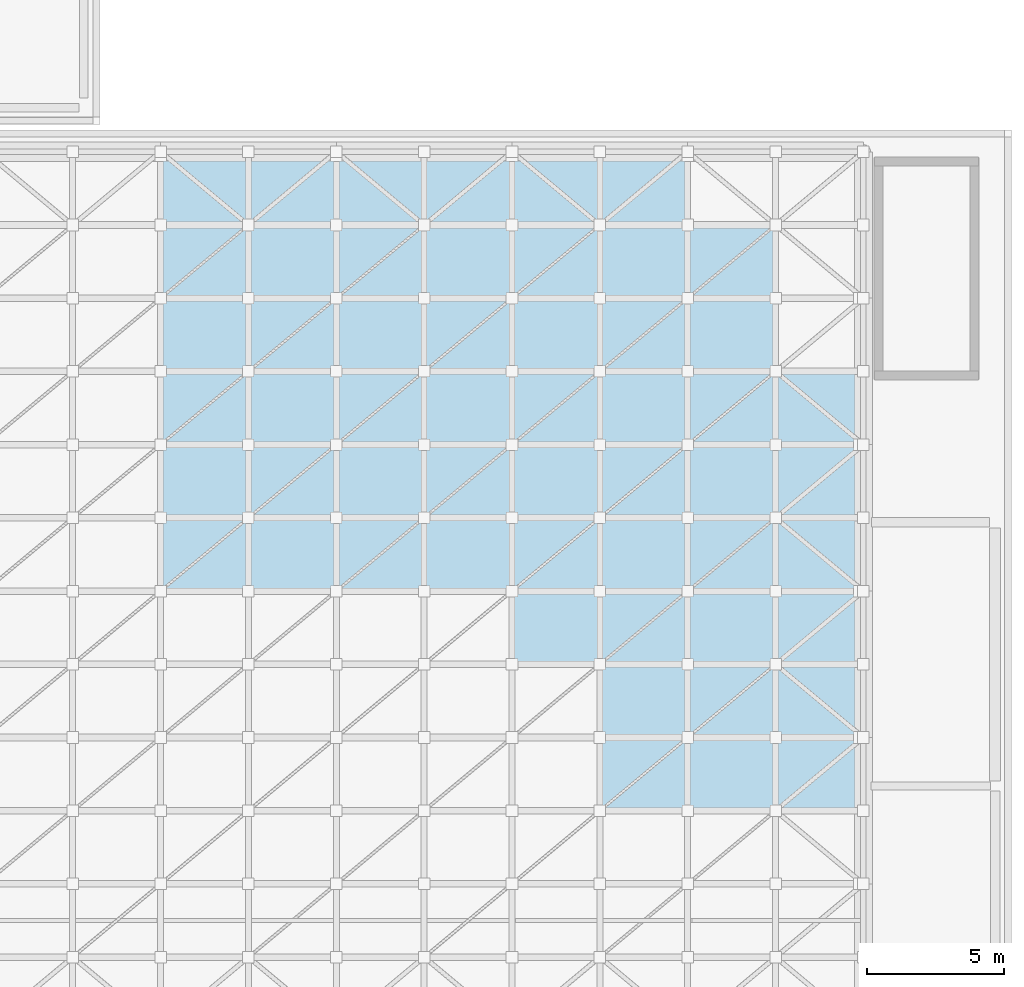
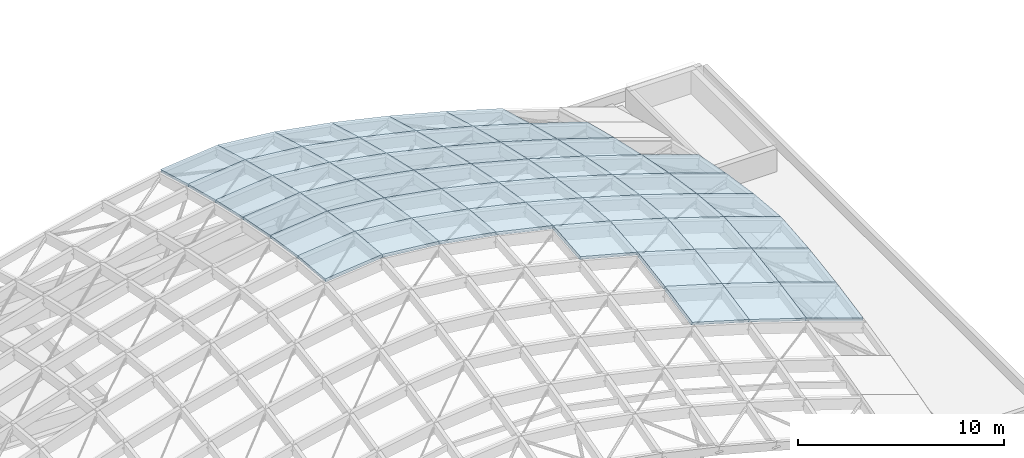
# One storey, part 28 of 40: 54 slabs, 1 element without a shape of its own.
"""IFC4 building model written with IfcOpenShell, lengths in metres."""

from ifc_helpers import new_model, si_unit, direction, frame, origin, place, context, subcontext, project, spatial, polyline, outline, extrude, material, layer, layer_set, type_object, element, aggregate, save


model = new_model("IFC4")

# Units and contexts
model_context = context("Model", 3, precision=1e-05, world=origin(), true_north=direction((0.0, 1.0)))
body_context = subcontext(model_context, "Body", "Model", "MODEL_VIEW")
ifc_project = project(units=[si_unit("LENGTHUNIT", "METRE"), si_unit("AREAUNIT", "SQUARE_METRE"), si_unit("VOLUMEUNIT", "CUBIC_METRE"), si_unit("PLANEANGLEUNIT", "RADIAN"), si_unit("MASSUNIT", "GRAM", prefix="KILO")], contexts=[model_context])

# Site, building, storey
site_placement = place(None, origin())
site = spatial("IfcSite", under=ifc_project, at=site_placement, CompositionType="ELEMENT")
building_placement = place(site_placement, origin())
building = spatial("IfcBuilding", under=site, at=building_placement, Name="Mzevani Central Library", CompositionType="ELEMENT")
storey_placement = place(building_placement, frame((0.0, 0.0, 26.699951171875)))
storey = spatial("IfcBuildingStorey", under=building, at=storey_placement, Name="RF", CompositionType="ELEMENT", Elevation=26.699951171875)

# Roof, slabs
ifc_material = material(Name="Glulam GL28h", Category="wood")
roof_type = type_object("IfcRoofType", Name="Translational Gridshell Pavilion Roof", PredefinedType="PAVILION_ROOF", material=ifc_material)
roof_placement = place(storey_placement, origin())
roof = element("IfcRoof", 1, at=roof_placement, inside=storey, type_object=roof_type, Name="RF Volume V1 Main Reading Hall Translational Gridshell Roof", PredefinedType="PAVILION_ROOF")
ifc_layer = layer(ifc_material, 0.179931640625, Name="Gridshell Roof Quad Slab 180")
ifc_layer_set = layer_set([ifc_layer], Name="Glulam GL28h")
slab_type = type_object("IfcSlabType", Name="Gridshell Roof Quad Slab 180", PredefinedType="ROOF", material=ifc_layer_set)
slab_1_placement = place(storey_placement, frame((133.39990234375, 59.10009765625, -4.033203125), z_axis=(-0.10316893799, 0.088441313677, 0.990724131264), x_axis=(0.994621666406, 0.0, 0.103574807342)))
slab_1 = element("IfcSlab", 2, at=slab_1_placement, type_object=slab_type, Name="RF Gridshell Roof Panel 7.7", PredefinedType="ROOF", context=body_context, shape_type="SweptSolid", body=[
    extrude(outline(polyline([(0.0, 0.0), (3.2175001013843962, 3.469446951953614e-18), (3.192845453640542, 2.6769940036971955), (-0.02465464774385437, 2.676994003697196), (0.0, 0.0)])), origin(), (0.0, 0.0, -1.0), 0.179931640625),
])
slab_2_placement = place(storey_placement, frame((133.39990234375, 61.7666015625, -4.271240234375), z_axis=(-0.102369775558, 0.152096879317, 0.983049830046), x_axis=(0.994621666406, 0.0, 0.103574807342)))
slab_2 = element("IfcSlab", 3, at=slab_2_placement, type_object=slab_type, Name="RF Gridshell Roof Panel 7.8", PredefinedType="ROOF", context=body_context, shape_type="SweptSolid", body=[
    extrude(outline(polyline([(0.0, 0.0), (3.2175001013843962, 0.0), (3.1747653786283823, 2.6981393060636414), (-0.04273472275601424, 2.6981393060636414), (0.0, 0.0)])), origin(), (0.0, 0.0, -1.0), 0.179931640625),
])
slab_3_placement = place(storey_placement, frame((133.39990234375, 64.433349609375, -4.683837890625), z_axis=(-0.101674788451, 0.190662806139, 0.976375917231), x_axis=(0.994621666406, 0.0, 0.103574807342)))
slab_3 = element("IfcSlab", 4, at=slab_3_placement, type_object=slab_type, Name="RF Gridshell Roof Panel 7.9", PredefinedType="ROOF", context=body_context, shape_type="SweptSolid", body=[
    extrude(outline(polyline([(0.0, 0.0), (3.2175001013843962, 1.3877787807814457e-17), (3.1635633181663025, 2.716582147775255), (-0.05393678321809371, 2.7165821477752545), (0.0, 0.0)])), origin(), (0.0, 0.0, -1.0), 0.179931640625),
])
slab_4_placement = place(storey_placement, frame((133.39990234375, 67.10009765625, -5.20458984375), z_axis=(-0.101024377436, 0.220548704695, 0.970130065517), x_axis=(0.994621666406, 0.0, 0.103574807342)))
slab_4 = element("IfcSlab", 5, at=slab_4_placement, type_object=slab_type, Name="RF Gridshell Roof Panel 7.10", PredefinedType="ROOF", context=body_context, shape_type="SweptSolid", body=[
    extrude(outline(polyline([(0.0, 0.0), (3.2175001013843962, 0.0), (3.154712931796714, 2.7338216317390387), (-0.06278716958768246, 2.733821631739039), (0.0, 0.0)])), origin(), (0.0, 0.0, -1.0), 0.179931640625),
])
slab_5_placement = place(storey_placement, frame((133.39990234375, 69.7666015625, -5.810791015625), z_axis=(-0.100405525432, 0.245482450392, 0.964187272791), x_axis=(0.994621666406, 0.0, 0.103574807342)))
slab_5 = element("IfcSlab", 6, at=slab_5_placement, type_object=slab_type, Name="RF Gridshell Roof Panel 7.11", PredefinedType="ROOF", context=body_context, shape_type="SweptSolid", body=[
    extrude(outline(polyline([(0.0, 0.0), (3.2175001013843962, 1.3877787807814457e-17), (3.147177459973464, 2.750923457628064), (-0.07032264141093231, 2.750923457628064), (0.0, 0.0)])), origin(), (0.0, 0.0, -1.0), 0.179931640625),
])
slab_6_placement = place(storey_placement, frame((133.39990234375, 72.433349609375, -6.48974609375), z_axis=(-0.099809233843, 0.267189794852, 0.958461126164), x_axis=(0.994621666406, 0.0, 0.103574807342)))
slab_6 = element("IfcSlab", 7, at=slab_6_placement, type_object=slab_type, Name="RF Gridshell Roof Panel 7.12", PredefinedType="ROOF", context=body_context, shape_type="SweptSolid", body=[
    extrude(outline(polyline([(0.0, 0.0), (3.2175001013843962, 0.0), (3.140501739968974, 2.7673583350055178), (-0.07699836141542211, 2.7673583350055173), (0.0, 0.0)])), origin(), (0.0, 0.0, -1.0), 0.179931640625),
])
slab_7_placement = place(storey_placement, frame((136.60009765625, 59.10009765625, -3.699951171875), z_axis=(0.103176725486, 0.088441241854, 0.990723326695), x_axis=(0.994620852304, 0.0, -0.103582624811)))
slab_7 = element("IfcSlab", 8, at=slab_7_placement, type_object=slab_type, Name="RF Gridshell Roof Panel 8.7", PredefinedType="ROOF", context=body_context, shape_type="SweptSolid", body=[
    extrude(outline(polyline([(0.0, 0.0), (3.2172572739284955, 0.0), (3.241913782519922, 2.6769939865584678), (0.024656508591426707, 2.6769939865584678), (0.0, 0.0)])), origin(), (0.0, 0.0, -1.0), 0.179931640625),
])
slab_8_placement = place(storey_placement, frame((136.60009765625, 61.7666015625, -3.93798828125), z_axis=(0.102377504013, 0.152096757705, 0.98304904403), x_axis=(0.994620852304, 0.0, -0.103582624811)))
slab_8 = element("IfcSlab", 9, at=slab_8_placement, type_object=slab_type, Name="RF Gridshell Roof Panel 8.8", PredefinedType="ROOF", context=body_context, shape_type="SweptSolid", body=[
    extrude(outline(polyline([(0.0, 0.0), (3.2172572739284955, -6.938893903907228e-18), (3.259995222153635, 2.6981392549748295), (0.04273794822513963, 2.6981392549748295), (0.0, 0.0)])), origin(), (0.0, 0.0, -1.0), 0.179931640625),
])
slab_9_placement = place(storey_placement, frame((136.60009765625, 64.433349609375, -4.3505859375), z_axis=(0.101682465538, 0.190662655753, 0.976375147115), x_axis=(0.994620852304, 0.0, -0.103582624811)))
slab_9 = element("IfcSlab", 10, at=slab_9_placement, type_object=slab_type, Name="RF Gridshell Roof Panel 8.9", PredefinedType="ROOF", context=body_context, shape_type="SweptSolid", body=[
    extrude(outline(polyline([(0.0, 0.0), (3.2172572739284955, 0.0), (3.2711981281085087, 2.7165820669446856), (0.0539408541800135, 2.716582066944686), (0.0, 0.0)])), origin(), (0.0, 0.0, -1.0), 0.179931640625),
])
slab_10_placement = place(storey_placement, frame((136.60009765625, 67.10009765625, -4.871337890625), z_axis=(0.101032006429, 0.220548532956, 0.970129310086), x_axis=(0.994620852304, 0.0, -0.103582624811)))
slab_10 = element("IfcSlab", 11, at=slab_10_placement, type_object=slab_type, Name="RF Gridshell Roof Panel 8.10", PredefinedType="ROOF", context=body_context, shape_type="SweptSolid", body=[
    extrude(outline(polyline([(0.0, 0.0), (3.2172572739284955, 0.0), (3.280049182474662, 2.7338215228961573), (0.06279190854616667, 2.7338215228961573), (0.0, 0.0)])), origin(), (0.0, 0.0, -1.0), 0.179931640625),
])
slab_11_placement = place(storey_placement, frame((136.60009765625, 69.7666015625, -5.4775390625), z_axis=(0.100413108647, 0.245482261572, 0.964186531157), x_axis=(0.994620852304, 0.0, -0.103582624811)))
slab_11 = element("IfcSlab", 12, at=slab_11_placement, type_object=slab_type, Name="RF Gridshell Roof Panel 8.11", PredefinedType="ROOF", context=body_context, shape_type="SweptSolid", body=[
    extrude(outline(polyline([(0.0, 0.0), (3.2172572739284955, -1.3877787807814457e-17), (3.2875852230492724, 2.7509233219404394), (0.0703279491207771, 2.7509233219404394), (0.0, 0.0)])), origin(), (0.0, 0.0, -1.0), 0.179931640625),
])
slab_12_placement = place(storey_placement, frame((136.60009765625, 72.433349609375, -6.156494140625), z_axis=(0.099816772931, 0.267189591769, 0.958460397665), x_axis=(0.994620852304, 0.0, -0.103582624811)))
slab_12 = element("IfcSlab", 13, at=slab_12_placement, type_object=slab_type, Name="RF Gridshell Roof Panel 8.12", PredefinedType="ROOF", context=body_context, shape_type="SweptSolid", body=[
    extrude(outline(polyline([(0.0, 0.0), (3.2172572739284955, 0.0), (3.294261446914028, 2.7673581732995793), (0.07700417298553264, 2.7673581732995793), (0.0, 0.0)])), origin(), (0.0, 0.0, -1.0), 0.179931640625),
])
slab_13_placement = place(storey_placement, frame((139.800048828125, 59.10009765625, -4.033203125), z_axis=(0.176852228265, 0.087558763272, 0.980335020456), x_axis=(0.984114704567, -3.222474e-06, -0.177533794655)))
slab_13 = element("IfcSlab", 14, at=slab_13_placement, type_object=slab_type, Name="RF Gridshell Roof Panel 9.7", PredefinedType="ROOF", context=body_context, shape_type="SweptSolid", body=[
    extrude(outline(polyline([(0.0, 0.0), (3.2515823543272, 0.0), (3.29387673609517, 2.676795137304697), (0.042251038556383964, 2.6767741000887915), (0.0, 0.0)])), origin(), (0.0, 0.0, -1.0), 0.179931640625),
])
slab_14_placement = place(storey_placement, frame((139.800048828125, 61.7666015625, -4.271240234375), z_axis=(0.175512415294, 0.150483223718, 0.97290811049), x_axis=(0.984114505742, 5.496287e-06, -0.177534896734)))
slab_14 = element("IfcSlab", 15, at=slab_14_placement, type_object=slab_type, Name="RF Gridshell Roof Panel 9.8", PredefinedType="ROOF", context=body_context, shape_type="SweptSolid", body=[
    extrude(outline(polyline([(0.0, 0.0), (3.2516256976400784, 1.3877787807814457e-17), (3.324847493667561, 2.6974467783149567), (0.07326513950813067, 2.697482933529474), (0.0, 0.0)])), origin(), (0.0, 0.0, -1.0), 0.179931640625),
])
slab_15_placement = place(storey_placement, frame((139.800048828125, 64.433349609375, -4.683837890625), z_axis=(0.174308179138, 0.188721993399, 0.966437099812), x_axis=(0.984121212692, 0.0, -0.177497714718)))
slab_15 = element("IfcSlab", 16, at=slab_15_placement, type_object=slab_type, Name="RF Gridshell Roof Panel 9.9", PredefinedType="ROOF", context=body_context, shape_type="SweptSolid", body=[
    extrude(outline(polyline([(0.0, 0.0), (3.251582356529337, -1.3877787807814457e-17), (3.344014638143747, 2.7155448837223597), (0.09243228161441013, 2.7155448837223597), (0.0, 0.0)])), origin(), (0.0, 0.0, -1.0), 0.179931640625),
])
slab_16_placement = place(storey_placement, frame((139.800048828125, 67.10009765625, -5.20458984375), z_axis=(0.173215507467, 0.218331875324, 0.960378873253), x_axis=(0.984121212692, 0.0, -0.177497714718)))
slab_16 = element("IfcSlab", 17, at=slab_16_placement, type_object=slab_type, Name="RF Gridshell Roof Panel 9.10", PredefinedType="ROOF", context=body_context, shape_type="SweptSolid", body=[
    extrude(outline(polyline([(0.0, 0.0), (3.251582356529337, 0.0), (3.3591816791962756, 2.732424807490729), (0.10759932266693875, 2.732424807490729), (0.0, 0.0)])), origin(), (0.0, 0.0, -1.0), 0.179931640625),
])
slab_17_placement = place(storey_placement, frame((139.800048828125, 69.7666015625, -5.810791015625), z_axis=(0.172208969211, 0.243084282521, 0.954596303426), x_axis=(0.984115041823, -8.71148e-06, -0.177531924967)))
slab_17 = element("IfcSlab", 18, at=slab_17_placement, type_object=slab_type, Name="RF Gridshell Roof Panel 9.11", PredefinedType="ROOF", context=body_context, shape_type="SweptSolid", body=[
    extrude(outline(polyline([(0.0, 0.0), (3.2515823544413163, 0.0), (3.372138667860873, 2.7492404198211147), (0.12051297066443782, 2.7491820154268143), (0.0, 0.0)])), origin(), (0.0, 0.0, -1.0), 0.179931640625),
])
slab_18_placement = place(storey_placement, frame((139.800048828125, 72.433349609375, -6.48974609375), z_axis=(0.17124325739, 0.264564152245, 0.949042441699), x_axis=(0.984108094626, 0.0, -0.177570431357)))
slab_18 = element("IfcSlab", 19, at=slab_18_placement, type_object=slab_type, Name="RF Gridshell Roof Panel 9.12", PredefinedType="ROOF", context=body_context, shape_type="SweptSolid", body=[
    extrude(outline(polyline([(0.0, 0.0), (3.2516256998089466, 0.0), (3.3836330151118235, 2.7652802698264956), (0.13200731530287696, 2.7652802698264956), (0.0, 0.0)])), origin(), (0.0, 0.0, -1.0), 0.179931640625),
])
slab_19_placement = place(storey_placement, frame((143.0, 59.10009765625, -4.6103515625), z_axis=(0.221182647654, 0.086757668058, 0.971365710436), x_axis=(0.975042099944, 3.134564e-06, -0.222020051634)))
slab_19 = element("IfcSlab", 20, at=slab_19_placement, type_object=slab_type, Name="RF Gridshell Roof Panel 10.7", PredefinedType="ROOF", context=body_context, shape_type="SweptSolid", body=[
    extrude(outline(polyline([(0.0, 0.0), (3.281886391135132, 1.3877787807814457e-17), (3.3347437607768, 2.676585666833899), (0.05291157375583612, 2.6766063191008764), (0.0, 0.0)])), origin(), (0.0, 0.0, -1.0), 0.179931640625),
])
slab_20_placement = place(storey_placement, frame((143.0, 61.7666015625, -4.8486328125), z_axis=(0.219537174216, 0.1491269201, 0.964139300536), x_axis=(0.97504233961, -5.347977e-06, -0.222018999052)))
slab_20 = element("IfcSlab", 21, at=slab_20_placement, type_object=slab_type, Name="RF Gridshell Roof Panel 10.8", PredefinedType="ROOF", context=body_context, shape_type="SweptSolid", body=[
    extrude(outline(polyline([(0.0, 0.0), (3.2818321871176983, -1.3877787807814457e-17), (3.3734224440625806, 2.6969229099912737), (0.09153605308769211, 2.6968874104221445), (0.0, 0.0)])), origin(), (0.0, 0.0, -1.0), 0.179931640625),
])
slab_21_placement = place(storey_placement, frame((143.0, 64.433349609375, -5.260986328125), z_axis=(0.218136357702, 0.187040624152, 0.957826881208), x_axis=(0.975034107954, 0.0, -0.222055147039)))
slab_21 = element("IfcSlab", 22, at=slab_21_placement, type_object=slab_type, Name="RF Gridshell Roof Panel 10.9", PredefinedType="ROOF", context=body_context, shape_type="SweptSolid", body=[
    extrude(outline(polyline([(0.0, 0.0), (3.2818863932771944, 2.7755575615628914e-17), (3.3975220447992984, 2.7146558047554006), (0.11563565152210388, 2.7146558047554006), (0.0, 0.0)])), origin(), (0.0, 0.0, -1.0), 0.179931640625),
])
slab_22_placement = place(storey_placement, frame((143.0, 67.10009765625, -5.78173828125), z_axis=(0.216792976935, 0.216410695282, 0.951928157016), x_axis=(0.975034107954, 0.0, -0.222055147039)))
slab_22 = element("IfcSlab", 23, at=slab_22_placement, type_object=slab_type, Name="RF Gridshell Roof Panel 10.10", PredefinedType="ROOF", context=body_context, shape_type="SweptSolid", body=[
    extrude(outline(polyline([(0.0, 0.0), (3.2818863932771944, 2.7755575615628914e-17), (3.4164964836332112, 2.731227391925373), (0.13461009035601684, 2.731227391925373), (0.0, 0.0)])), origin(), (0.0, 0.0, -1.0), 0.179931640625),
])
slab_23_placement = place(storey_placement, frame((143.0, 69.7666015625, -6.387939453125), z_axis=(0.215477211118, 0.240974003352, 0.946309199573), x_axis=(0.975041692952, 8.481834e-06, -0.222021838864)))
slab_23 = element("IfcSlab", 24, at=slab_23_placement, type_object=slab_type, Name="RF Gridshell Roof Panel 10.11", PredefinedType="ROOF", context=body_context, shape_type="SweptSolid", body=[
    extrude(outline(polyline([(0.0, 0.0), (3.2818863912442167, 0.0), (3.432651865109599, 2.7476890111818504), (0.15081967841588648, 2.747746373943702), (0.0, 0.0)])), origin(), (0.0, 0.0, -1.0), 0.179931640625),
])
slab_24_placement = place(storey_placement, frame((143.0, 72.433349609375, -7.067138671875), z_axis=(0.214212106028, 0.262297321024, 0.94091088261), x_axis=(0.975050212006, 0.0, -0.221984423028)))
slab_24 = element("IfcSlab", 25, at=slab_24_placement, type_object=slab_type, Name="RF Gridshell Roof Panel 10.12", PredefinedType="ROOF", context=body_context, shape_type="SweptSolid", body=[
    extrude(outline(polyline([(0.0, 0.0), (3.2818321892280427, 0.0), (3.4468572302729132, 2.763506402708941), (0.16502504104487095, 2.7635064027089404), (0.0, 0.0)])), origin(), (0.0, 0.0, -1.0), 0.179931640625),
])
slab_25_placement = place(storey_placement, frame((146.199951171875, 56.433349609375, -5.5771484375), z_axis=(0.255356377405, -0.086003882126, 0.963014253673), x_axis=(0.966595614601, -3.053924e-06, -0.256306296888)))
slab_25 = element("IfcSlab", 26, at=slab_25_placement, type_object=slab_type, Name="RF Gridshell Roof Panel 11.6", PredefinedType="ROOF", context=body_context, shape_type="SweptSolid", body=[
    extrude(outline(polyline([(0.0, 0.0), (3.310568703261807, 0.0), (3.249487574410744, 2.676675583908551), (-0.061018554071549595, 2.6766552884506747), (0.0, 0.0)])), origin(), (0.0, 0.0, -1.0), 0.179931640625),
])
slab_26_placement = place(storey_placement, frame((146.199951171875, 59.10009765625, -5.339111328125), z_axis=(0.255356204463, 0.086011698245, 0.963013601465), x_axis=(0.966595749753, -3.054257e-06, -0.256305787197)))
slab_26 = element("IfcSlab", 27, at=slab_26_placement, type_object=slab_type, Name="RF Gridshell Roof Panel 11.7", PredefinedType="ROOF", context=body_context, shape_type="SweptSolid", body=[
    extrude(outline(polyline([(0.0, 0.0), (3.3105061285445077, 0.0), (3.37157084771129, 2.6764327233094964), (0.061002144511704375, 2.6764124256234916), (0.0, 0.0)])), origin(), (0.0, 0.0, -1.0), 0.179931640625),
])
slab_27_placement = place(storey_placement, frame((146.199951171875, 61.7666015625, -5.5771484375), z_axis=(0.25348867127, 0.147863446217, 0.955970655831), x_axis=(0.966595482436, 5.212101e-06, -0.25630679528)))
slab_27 = element("IfcSlab", 28, at=slab_27_placement, type_object=slab_type, Name="RF Gridshell Roof Panel 11.8", PredefinedType="ROOF", context=body_context, shape_type="SweptSolid", body=[
    extrude(outline(polyline([(0.0, 0.0), (3.310568703292226, 1.3877787807814457e-17), (3.416271610765187, 2.6963693087360663), (0.10576548237415226, 2.6964042020021606), (0.0, 0.0)])), origin(), (0.0, 0.0, -1.0), 0.179931640625),
])
slab_28_placement = place(storey_placement, frame((146.199951171875, 64.433349609375, -5.98974609375), z_axis=(0.251824800422, 0.185479497541, 0.949832419895), x_axis=(0.966604816788, 0.0, -0.256271590626)))
slab_28 = element("IfcSlab", 29, at=slab_28_placement, type_object=slab_type, Name="RF Gridshell Roof Panel 11.9", PredefinedType="ROOF", context=body_context, shape_type="SweptSolid", body=[
    extrude(outline(polyline([(0.0, 0.0), (3.3105061306316914, -2.7755575615628914e-17), (3.4439600619807718, 2.7138382026942214), (0.13345393134908026, 2.713838202694222), (0.0, 0.0)])), origin(), (0.0, 0.0, -1.0), 0.179931640625),
])
slab_29_placement = place(storey_placement, frame((146.199951171875, 67.10009765625, -6.510498046875), z_axis=(0.25029949764, 0.214626338106, 0.944079285056), x_axis=(0.966604816788, 0.0, -0.256271590626)))
slab_29 = element("IfcSlab", 30, at=slab_29_placement, type_object=slab_type, Name="RF Gridshell Roof Panel 11.10", PredefinedType="ROOF", context=body_context, shape_type="SweptSolid", body=[
    extrude(outline(polyline([(0.0, 0.0), (3.3105061306316914, -2.7755575615628914e-17), (3.4658582691876063, 2.730126124536234), (0.15535213855591481, 2.730126124536234), (0.0, 0.0)])), origin(), (0.0, 0.0, -1.0), 0.179931640625),
])
slab_30_placement = place(storey_placement, frame((146.199951171875, 69.7666015625, -7.11669921875), z_axis=(0.248877787207, 0.239006258863, 0.938581831946), x_axis=(0.96659620398, -8.271744e-06, -0.256304074065)))
slab_30 = element("IfcSlab", 31, at=slab_30_placement, type_object=slab_type, Name="RF Gridshell Roof Panel 11.11", PredefinedType="ROOF", context=body_context, shape_type="SweptSolid", body=[
    extrude(outline(polyline([(0.0, 0.0), (3.3105061286490693, -2.7755575615628914e-17), (3.4845655968597384, 2.7463721548001265), (0.17399689397383666, 2.7463157523095996), (0.0, 0.0)])), origin(), (0.0, 0.0, -1.0), 0.179931640625),
])
slab_31_placement = place(storey_placement, frame((146.199951171875, 72.433349609375, -7.795654296875), z_axis=(0.247481814894, 0.260137728411, 0.933317263075), x_axis=(0.966595063949, 8.952413e-06, -0.256308373388)))
slab_31 = element("IfcSlab", 32, at=slab_31_placement, type_object=slab_type, Name="RF Gridshell Roof Panel 11.12", PredefinedType="ROOF", context=body_context, shape_type="SweptSolid", body=[
    extrude(outline(polyline([(0.0, 0.0), (3.3105687033885474, -8.326672684688674e-17), (3.501071749237707, 2.7618013226597613), (0.19056562113563133, 2.7618627107526983), (0.0, 0.0)])), origin(), (0.0, 0.0, -1.0), 0.179931640625),
])
slab_32_placement = place(storey_placement, frame((149.39990234375, 51.10009765625, -7.35888671875), z_axis=(0.279810646315, -0.183975043269, 0.942262800743), x_axis=(0.958626001513, 6.338961e-06, -0.284668560231)))
slab_32 = element("IfcSlab", 33, at=slab_32_placement, type_object=slab_type, Name="RF Gridshell Roof Panel 12.4", PredefinedType="ROOF", context=body_context, shape_type="SweptSolid", body=[
    extrude(outline(polyline([(0.0, 0.0), (3.338281168028513, -2.7755575615628914e-17), (3.1901258613204555, 2.712788502037), (-0.14822480586826986, 2.712831559906584), (0.0, 0.0)])), origin(), (0.0, 0.0, -1.0), 0.179931640625),
])
slab_33_placement = place(storey_placement, frame((149.39990234375, 53.7666015625, -6.838134765625), z_axis=(0.281591106609, -0.146670579686, 0.948258503644), x_axis=(0.958625449108, -5.085666e-06, -0.28467042048)))
slab_33 = element("IfcSlab", 34, at=slab_33_placement, type_object=slab_type, Name="RF Gridshell Roof Panel 12.5", PredefinedType="ROOF", context=body_context, shape_type="SweptSolid", body=[
    extrude(outline(polyline([(0.0, 0.0), (3.338350667441107, 2.7755575615628914e-17), (3.220882756956899, 2.6959197406566195), (-0.11739841086983344, 2.695885414309392), (0.0, 0.0)])), origin(), (0.0, 0.0, -1.0), 0.179931640625),
])
slab_34_placement = place(storey_placement, frame((149.39990234375, 56.433349609375, -6.42578125), z_axis=(0.283632167594, -0.085299922291, 0.955131779789), x_axis=(0.958625736385, 2.979196e-06, -0.284669453107)))
slab_34 = element("IfcSlab", 35, at=slab_34_placement, type_object=slab_type, Name="RF Gridshell Roof Panel 12.6", PredefinedType="ROOF", context=body_context, shape_type="SweptSolid", body=[
    extrude(outline(polyline([(0.0, 0.0), (3.3382811679740163, 0.0), (3.2705272189942, 2.6764932654043587), (-0.06782344835801599, 2.6765132291606615), (0.0, 0.0)])), origin(), (0.0, 0.0, -1.0), 0.179931640625),
])
slab_35_placement = place(storey_placement, frame((149.39990234375, 59.10009765625, -6.1875), z_axis=(0.283631978634, 0.085307675375, 0.955131143466), x_axis=(0.95862559116, 2.979403e-06, -0.28466994215)))
slab_35 = element("IfcSlab", 36, at=slab_35_placement, type_object=slab_type, Name="RF Gridshell Roof Panel 12.7", PredefinedType="ROOF", context=body_context, shape_type="SweptSolid", body=[
    extrude(outline(polyline([(0.0, 0.0), (3.3383506674119117, -1.3877787807814457e-17), (3.4061206221564175, 2.676249608524227), (0.06783945424210082, 2.6762695736794235), (0.0, 0.0)])), origin(), (0.0, 0.0, -1.0), 0.179931640625),
])
slab_36_placement = place(storey_placement, frame((149.39990234375, 61.7666015625, -6.42578125), z_axis=(0.281591106609, 0.146670579686, 0.948258503644), x_axis=(0.958625878436, -5.085772e-06, -0.284668974718)))
slab_36 = element("IfcSlab", 37, at=slab_36_placement, type_object=slab_type, Name="RF Gridshell Roof Panel 12.8", PredefinedType="ROOF", context=body_context, shape_type="SweptSolid", body=[
    extrude(outline(polyline([(0.0, 0.0), (3.338281168003215, 2.7755575615628914e-17), (3.455721357306016, 2.6959209483944635), (0.11737069004139546, 2.6958866213325985), (0.0, 0.0)])), origin(), (0.0, 0.0, -1.0), 0.179931640625),
])
slab_37_placement = place(storey_placement, frame((149.39990234375, 64.433349609375, -6.838134765625), z_axis=(0.279811513321, 0.183958770368, 0.942265720388), x_axis=(0.958625326079, 6.338288e-06, -0.284670834753)))
slab_37 = element("IfcSlab", 38, at=slab_37_placement, type_object=slab_type, Name="RF Gridshell Roof Panel 12.9", PredefinedType="ROOF", context=body_context, shape_type="SweptSolid", body=[
    extrude(outline(polyline([(0.0, 0.0), (3.3383506674663925, 0.0), (3.486540963564154, 2.7130265666405498), (0.14825979581327747, 2.713069619805272), (0.0, 0.0)])), origin(), (0.0, 0.0, -1.0), 0.179931640625),
])
slab_38_placement = place(storey_placement, frame((149.39990234375, 67.10009765625, -7.35888671875), z_axis=(0.278138629781, 0.212976219858, 0.936632282381), x_axis=(0.958626116382, -7.294363e-06, -0.284668173383)))
slab_38 = element("IfcSlab", 39, at=slab_38_placement, type_object=slab_type, Name="RF Gridshell Roof Panel 12.10", PredefinedType="ROOF", context=body_context, shape_type="SweptSolid", body=[
    extrude(outline(polyline([(0.0, 0.0), (3.338281168052124, 2.7755575615628914e-17), (3.51089739697026, 2.729143203194241), (0.17254672985236896, 2.7290933578340435), (0.0, 0.0)])), origin(), (0.0, 0.0, -1.0), 0.179931640625),
])
slab_39_placement = place(storey_placement, frame((149.39990234375, 69.7666015625, -7.965087890625), z_axis=(0.276549159748, 0.237146809064, 0.931279739495), x_axis=(0.958625102568, 8.075614e-06, -0.284671587378)))
slab_39 = element("IfcSlab", 40, at=slab_39_placement, type_object=slab_type, Name="RF Gridshell Roof Panel 12.11", PredefinedType="ROOF", context=body_context, shape_type="SweptSolid", body=[
    extrude(outline(polyline([(0.0, 0.0), (3.338350667512329, -5.551115123125783e-17), (3.5316514229880696, 2.7450245806972937), (0.19337025537500252, 2.745080081832757), (0.0, 0.0)])), origin(), (0.0, 0.0, -1.0), 0.179931640625),
])
slab_40_placement = place(storey_placement, frame((149.39990234375, 72.433349609375, -8.644287109375), z_axis=(0.275021820307, 0.258136256997, 0.926136421473), x_axis=(0.958626328673, -8.742006e-06, -0.284667458448)))
slab_40 = element("IfcSlab", 41, at=slab_40_placement, type_object=slab_type, Name="RF Gridshell Roof Panel 12.12", PredefinedType="ROOF", context=body_context, shape_type="SweptSolid", body=[
    extrude(outline(polyline([(0.0, 0.0), (3.33828116809576, 2.7755575615628914e-17), (3.549881979140539, 2.760330774738637), (0.21153131215355658, 2.7602703600373224), (0.0, 0.0)])), origin(), (0.0, 0.0, -1.0), 0.179931640625),
])
slab_41_placement = place(storey_placement, frame((152.60009765625, 51.10009765625, -8.30908203125), z_axis=(0.304003089785, -0.182560018862, 0.935015486992), x_axis=(0.950996915535, -6.192494e-06, -0.309200366436)))
slab_41 = element("IfcSlab", 42, at=slab_41_placement, type_object=slab_type, Name="RF Gridshell Roof Panel 13.4", PredefinedType="ROOF", context=body_context, shape_type="SweptSolid", body=[
    extrude(outline(polyline([(0.0, 0.0), (3.364875130290605, -2.7755575615628914e-17), (3.203841923253414, 2.7121013941100967), (-0.16095771866647904, 2.7120590083356095), (0.0, 0.0)])), origin(), (0.0, 0.0, -1.0), 0.179931640625),
])
slab_42_placement = place(storey_placement, frame((152.60009765625, 53.7666015625, -7.78857421875), z_axis=(0.305907567628, -0.145528244306, 0.940873046791), x_axis=(0.950997496992, 4.9674e-06, -0.309198578087)))
slab_42 = element("IfcSlab", 43, at=slab_42_placement, type_object=slab_type, Name="RF Gridshell Roof Panel 13.5", PredefinedType="ROOF", context=body_context, shape_type="SweptSolid", body=[
    extrude(outline(polyline([(0.0, 0.0), (3.3647996421625255, 0.0), (3.2373137682674, 2.6954272214485746), (-0.12756136182922856, 2.6954610101486822), (0.0, 0.0)])), origin(), (0.0, 0.0, -1.0), 0.179931640625),
])
slab_43_placement = place(storey_placement, frame((152.60009765625, 56.433349609375, -7.3759765625), z_axis=(0.308090108552, -0.084626017204, 0.947585838974), x_axis=(0.95099719468, -2.909133e-06, -0.309199507927)))
slab_43 = element("IfcSlab", 44, at=slab_43_placement, type_object=slab_type, Name="RF Gridshell Roof Panel 13.6", PredefinedType="ROOF", context=body_context, shape_type="SweptSolid", body=[
    extrude(outline(polyline([(0.0, 0.0), (3.364875130238206, -1.3877787807814457e-17), (3.2911909270653106, 2.676358295228039), (-0.07360871501178042, 2.676338647227872), (0.0, 0.0)])), origin(), (0.0, 0.0, -1.0), 0.179931640625),
])
slab_44_placement = place(storey_placement, frame((152.60009765625, 59.10009765625, -7.137939453125), z_axis=(0.308089906528, 0.084633709923, 0.947585217614), x_axis=(0.950997347486, -2.909461e-06, -0.309199037945)))
slab_44 = element("IfcSlab", 45, at=slab_44_placement, type_object=slab_type, Name="RF Gridshell Roof Panel 13.7", PredefinedType="ROOF", context=body_context, shape_type="SweptSolid", body=[
    extrude(outline(polyline([(0.0, 0.0), (3.364799642134458, -1.3877787807814457e-17), (3.4384682173062635, 2.6761154615973153), (0.0735930871254321, 2.6760958113702595), (0.0, 0.0)])), origin(), (0.0, 0.0, -1.0), 0.179931640625),
])
slab_45_placement = place(storey_placement, frame((152.60009765625, 61.7666015625, -7.3759765625), z_axis=(0.305907567628, 0.145528244306, 0.940873046791), x_axis=(0.950997045148, 4.967289e-06, -0.309199967812)))
slab_45 = element("IfcSlab", 46, at=slab_45_placement, type_object=slab_type, Name="RF Gridshell Roof Panel 13.8", PredefinedType="ROOF", context=body_context, shape_type="SweptSolid", body=[
    extrude(outline(polyline([(0.0, 0.0), (3.364875130266275, 0.0), (3.4923880705329284, 2.6954259411516657), (0.12758842854004493, 2.6954597290937525), (0.0, 0.0)])), origin(), (0.0, 0.0, -1.0), 0.179931640625),
])
slab_46_placement = place(storey_placement, frame((152.60009765625, 64.433349609375, -7.78857421875), z_axis=(0.304004017319, 0.182543862455, 0.935018339785), x_axis=(0.95099762653, -6.192104e-06, -0.309198179644)))
slab_46 = element("IfcSlab", 47, at=slab_46_placement, type_object=slab_type, Name="RF Gridshell Roof Panel 13.9", PredefinedType="ROOF", context=body_context, shape_type="SweptSolid", body=[
    extrude(outline(polyline([(0.0, 0.0), (3.3647996421868442, 0.0), (3.5257986853589585, 2.71234345857329), (0.16092355533528688, 2.7123010755990817), (0.0, 0.0)])), origin(), (0.0, 0.0, -1.0), 0.179931640625),
])
slab_47_placement = place(storey_placement, frame((152.60009765625, 67.10009765625, -8.30908203125), z_axis=(0.302214101966, 0.211357432375, 0.929513137267), x_axis=(0.95099679452, 7.127121e-06, -0.309200738618)))
slab_47 = element("IfcSlab", 48, at=slab_47_placement, type_object=slab_type, Name="RF Gridshell Roof Panel 13.10", PredefinedType="ROOF", context=body_context, shape_type="SweptSolid", body=[
    extrude(outline(polyline([(0.0, 0.0), (3.3648751303133215, 2.7755575615628914e-17), (3.5523319849054324, 2.7281097590861405), (0.18753234305368766, 2.7281588308846687), (0.0, 0.0)])), origin(), (0.0, 0.0, -1.0), 0.179931640625),
])
slab_48_placement = place(storey_placement, frame((152.60009765625, 69.7666015625, -8.91552734375), z_axis=(0.30048389899, 0.235327145205, 0.924300038503), x_axis=(0.951007938159, 0.0, -0.309166462539)))
slab_48 = element("IfcSlab", 49, at=slab_48_placement, type_object=slab_type, Name="RF Gridshell Roof Panel 13.11", PredefinedType="ROOF", context=body_context, shape_type="SweptSolid", body=[
    extrude(outline(polyline([(0.0, 0.0), (3.364799644122692, -2.7755575615628914e-17), (3.5747097838493076, 2.7438044531021712), (0.20991013972661526, 2.7438044531021712), (0.0, 0.0)])), origin(), (0.0, 0.0, -1.0), 0.179931640625),
])
slab_49_placement = place(storey_placement, frame((155.800048828125, 51.10009765625, -9.349609375), z_axis=(0.325326246009, -0.181205348817, 0.928077289463), x_axis=(0.943700346003, 6.054259e-06, -0.330801537053)))
slab_49 = element("IfcSlab", 50, at=slab_49_placement, type_object=slab_type, Name="RF Gridshell Roof Panel 14.4", PredefinedType="ROOF", context=body_context, shape_type="SweptSolid", body=[
    extrude(outline(polyline([(0.0, 0.0), (3.390816087960579, -2.7755575615628914e-17), (3.2186474472421174, 2.711370393590375), (-0.17224940281246887, 2.7114121429849023), (0.0, 0.0)])), origin(), (0.0, 0.0, -1.0), 0.179931640625),
])
slab_50_placement = place(storey_placement, frame((155.800048828125, 53.7666015625, -8.828857421875), z_axis=(0.327333892519, -0.144434945204, 0.933804620578), x_axis=(0.943699742543, -4.855386e-06, -0.3308032586)))
slab_50 = element("IfcSlab", 51, at=slab_50_placement, type_object=slab_type, Name="RF Gridshell Roof Panel 14.5", PredefinedType="ROOF", context=body_context, shape_type="SweptSolid", body=[
    extrude(outline(polyline([(0.0, 0.0), (3.3908968502881685, 0.0), (3.2543952530182545, 2.69502305600596), (-0.1364208347556072, 2.6949897792405126), (0.0, 0.0)])), origin(), (0.0, 0.0, -1.0), 0.179931640625),
])
slab_51_placement = place(storey_placement, frame((155.800048828125, 56.433349609375, -8.41650390625), z_axis=(0.329633974953, -0.083981253219, 0.94036620083), x_axis=(0.94370005626, 2.843054e-06, -0.330802363665)))
slab_51 = element("IfcSlab", 52, at=slab_51_placement, type_object=slab_type, Name="RF Gridshell Roof Panel 14.6", PredefinedType="ROOF", context=body_context, shape_type="SweptSolid", body=[
    extrude(outline(polyline([(0.0, 0.0), (3.3908160879101263, 0.0), (3.3120804311988503, 2.6761927236536143), (-0.07881641900709285, 2.6762120727870506), (0.0, 0.0)])), origin(), (0.0, 0.0, -1.0), 0.179931640625),
])
slab_52_placement = place(storey_placement, frame((155.800048828125, 59.10009765625, -8.17822265625), z_axis=(0.329633762084, 0.083988888164, 0.940365593564), x_axis=(0.943699897721, 2.843243e-06, -0.33080281594)))
slab_52 = element("IfcSlab", 53, at=slab_52_placement, type_object=slab_type, Name="RF Gridshell Roof Panel 14.7", PredefinedType="ROOF", context=body_context, shape_type="SweptSolid", body=[
    extrude(outline(polyline([(0.0, 0.0), (3.390896850261151, -2.7755575615628914e-17), (3.4696477778603465, 2.6759489953494016), (0.0788316900054312, 2.675968345781028), (0.0, 0.0)])), origin(), (0.0, 0.0, -1.0), 0.179931640625),
])
slab_53_placement = place(storey_placement, frame((155.800048828125, 61.7666015625, -8.41650390625), z_axis=(0.327333892519, 0.144434945204, 0.933804620578), x_axis=(0.943700211441, -4.855502e-06, -0.330801920948)))
slab_53 = element("IfcSlab", 54, at=slab_53_placement, type_object=slab_type, Name="RF Gridshell Roof Panel 14.8", PredefinedType="ROOF", context=body_context, shape_type="SweptSolid", body=[
    extrude(outline(polyline([(0.0, 0.0), (3.3908160879371474, 2.7755575615628914e-17), (3.52729123680347, 2.6950243954745305), (0.136394386678591, 2.6949911179164983), (0.0, 0.0)])), origin(), (0.0, 0.0, -1.0), 0.179931640625),
])
slab_54_placement = place(storey_placement, frame((155.800048828125, 64.433349609375, -8.828857421875), z_axis=(0.325327223924, 0.181189304123, 0.92808007922), x_axis=(0.943699608036, 6.053597e-06, -0.330803642295)))
slab_54 = element("IfcSlab", 55, at=slab_54_placement, type_object=slab_type, Name="RF Gridshell Roof Panel 14.9", PredefinedType="ROOF", context=body_context, shape_type="SweptSolid", body=[
    extrude(outline(polyline([(0.0, 0.0), (3.390896850311588, -2.7755575615628914e-17), (3.5630988739470477, 2.7116083748591278), (0.17228278624344195, 2.711650119562712), (0.0, 0.0)])), origin(), (0.0, 0.0, -1.0), 0.179931640625),
])
aggregate(roof, [slab_1, slab_2, slab_3, slab_4, slab_5, slab_6, slab_7, slab_8, slab_9, slab_10, slab_11, slab_12, slab_13, slab_14, slab_15, slab_16, slab_17, slab_18, slab_19, slab_20, slab_21, slab_22, slab_23, slab_24, slab_25, slab_26, slab_27, slab_28, slab_29, slab_30, slab_31, slab_32, slab_33, slab_34, slab_35, slab_36, slab_37, slab_38, slab_39, slab_40, slab_41, slab_42, slab_43, slab_44, slab_45, slab_46, slab_47, slab_48, slab_49, slab_50, slab_51, slab_52, slab_53, slab_54])

save(model, "model.ifc")
